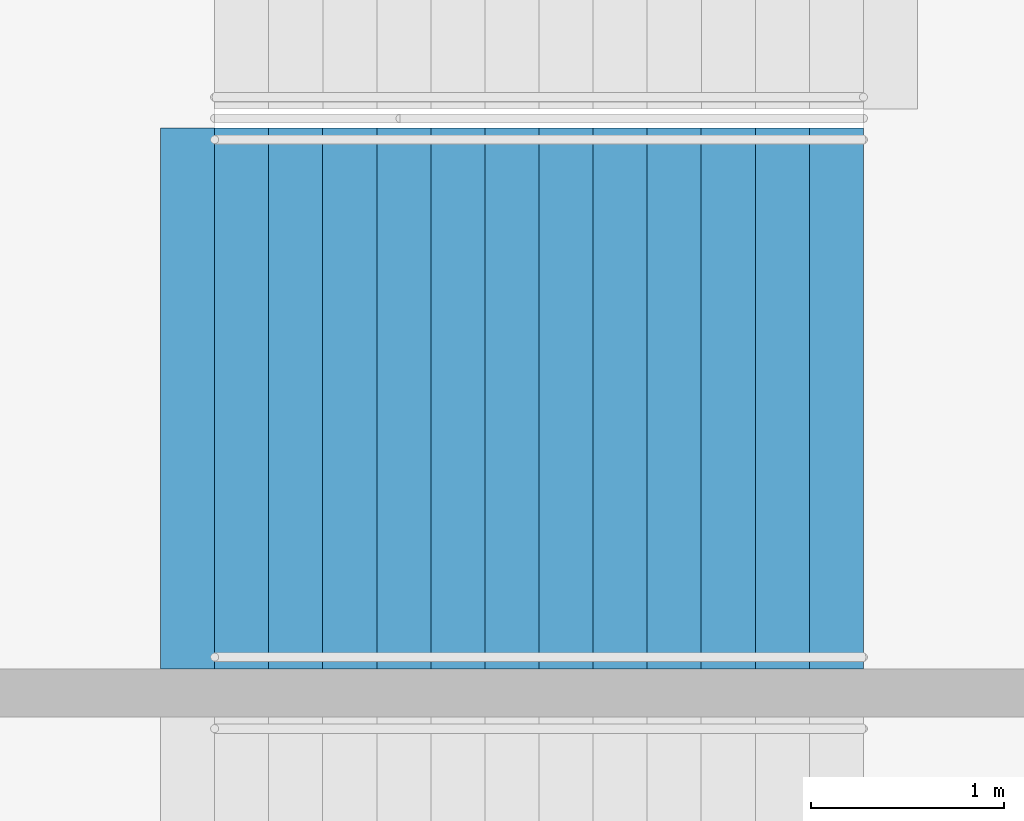
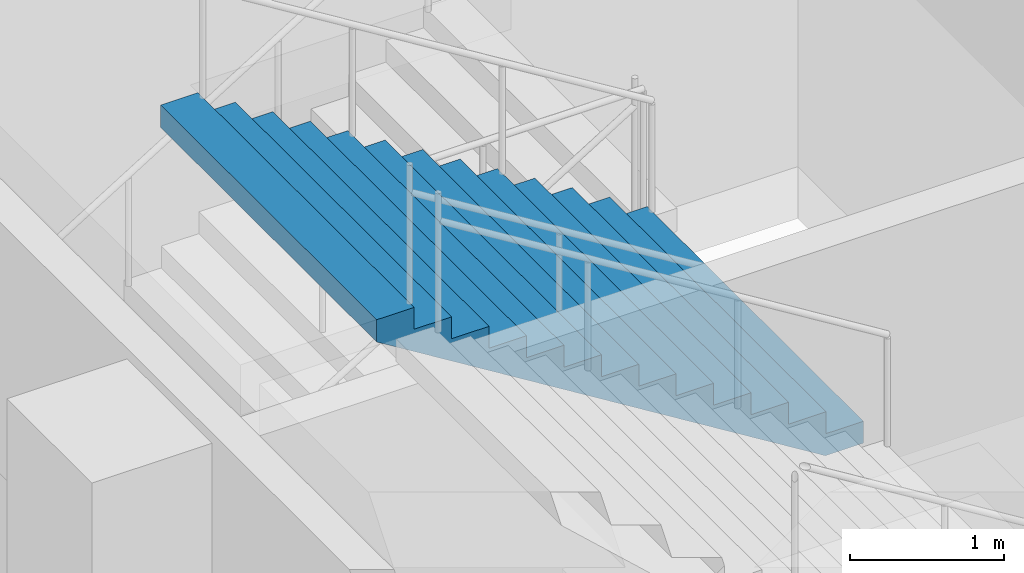
# One storey, part 101 of 175: 1 stair flight, 1 element without a shape of its own.
"""IFC4 building model written with IfcOpenShell, lengths in metres."""

from ifc_helpers import new_model, si_unit, direction, frame, origin, place, context, subcontext, project, spatial, faceted_brep, material, type_object, element, aggregate, save


model = new_model("IFC4")

# Units and contexts
model_context = context("Model", 3, precision=1e-05, world=origin(), true_north=direction((0.0, 1.0)))
body_context = subcontext(model_context, "Body", "Model", "MODEL_VIEW")
ifc_project = project(units=[si_unit("LENGTHUNIT", "METRE"), si_unit("AREAUNIT", "SQUARE_METRE"), si_unit("VOLUMEUNIT", "CUBIC_METRE"), si_unit("PLANEANGLEUNIT", "RADIAN"), si_unit("MASSUNIT", "GRAM", prefix="KILO")], contexts=[model_context])

# Site, building, storey
site_placement = place(None, origin())
site = spatial("IfcSite", under=ifc_project, at=site_placement, CompositionType="ELEMENT")
building_placement = place(site_placement, origin())
building = spatial("IfcBuilding", under=site, at=building_placement, Name="Ogive Plaza Stadium", CompositionType="ELEMENT")
storey_placement = place(building_placement, origin())
storey = spatial("IfcBuildingStorey", under=building, at=storey_placement, Name="L00", CompositionType="ELEMENT", Elevation=0.0)

# Stair, stair flight
ifc_material_1 = material(Name="Concrete C40/50", Category="concrete")
stair_type = type_object("IfcStairType", Name="Exit stair", PredefinedType="STRAIGHT_RUN_STAIR", material=ifc_material_1)
stair_placement = place(storey_placement, origin())
stair = element("IfcStair", 1, at=stair_placement, inside=storey, type_object=stair_type, Name="Exit stair ST06B L00 to L01", PredefinedType="STRAIGHT_RUN_STAIR")
ifc_material_2 = material(Name="Concrete C40/50", Category="concrete")
stair_flight_type = type_object("IfcStairFlightType", Name="Exit stair flight", PredefinedType="STRAIGHT", material=ifc_material_2)
stair_flight_placement = place(storey_placement, frame((79.7099609375, -20.97509765625, 2.25), z_axis=(0.0, 0.0, 1.0), x_axis=(-1.0, 0.0, 0.0)))
stair_flight = element("IfcStairFlight", 2, at=stair_flight_placement, type_object=stair_flight_type, Name="ST06B flight 2", NumberOfRisers=13, NumberOfTreads=12, PredefinedType="STRAIGHT", RiserHeight=0.173076923, TreadLength=0.28, context=body_context, shape_type="Brep", body=[
    faceted_brep([(0.28515625, -1.39990234375, 0.0), (3.639892578125, -1.39990234375, 2.07373046875), (3.639892578125, -1.39990234375, 2.25), (3.360107421875, -1.39990234375, 2.25), (3.360107421875, -1.39990234375, 2.076904296875), (3.080078125, -1.39990234375, 2.076904296875), (3.080078125, -1.39990234375, 1.90380859375), (2.800048828125, -1.39990234375, 1.90380859375), (2.800048828125, -1.39990234375, 1.730712890625), (2.52001953125, -1.39990234375, 1.730712890625), (2.52001953125, -1.39990234375, 1.5576171875), (2.239990234375, -1.39990234375, 1.5576171875), (2.239990234375, -1.39990234375, 1.384521484375), (1.9599609375, -1.39990234375, 1.384521484375), (1.9599609375, -1.39990234375, 1.21142578125), (1.679931640625, -1.39990234375, 1.21142578125), (1.679931640625, -1.39990234375, 1.03857421875), (1.39990234375, -1.39990234375, 1.03857421875), (1.39990234375, -1.39990234375, 0.865478515625), (1.1201171875, -1.39990234375, 0.865478515625), (1.1201171875, -1.39990234375, 0.6923828125), (0.840087890625, -1.39990234375, 0.6923828125), (0.840087890625, -1.39990234375, 0.519287109375), (0.56005859375, -1.39990234375, 0.519287109375), (0.56005859375, -1.39990234375, 0.34619140625), (0.280029296875, -1.39990234375, 0.34619140625), (0.280029296875, -1.39990234375, 0.173095703125), (0.0, -1.39990234375, 0.173095703125), (0.0, -1.39990234375, 0.0), (0.0, 1.39990234375, 0.0), (0.0, 1.39990234375, 0.173095703125), (0.280029296875, 1.39990234375, 0.173095703125), (0.280029296875, 1.39990234375, 0.34619140625), (0.56005859375, 1.39990234375, 0.34619140625), (0.56005859375, 1.39990234375, 0.519287109375), (0.840087890625, 1.39990234375, 0.519287109375), (0.840087890625, 1.39990234375, 0.6923828125), (1.1201171875, 1.39990234375, 0.6923828125), (1.1201171875, 1.39990234375, 0.865478515625), (1.39990234375, 1.39990234375, 0.865478515625), (1.39990234375, 1.39990234375, 1.03857421875), (1.679931640625, 1.39990234375, 1.03857421875), (1.679931640625, 1.39990234375, 1.21142578125), (1.9599609375, 1.39990234375, 1.21142578125), (1.9599609375, 1.39990234375, 1.384521484375), (2.239990234375, 1.39990234375, 1.384521484375), (2.239990234375, 1.39990234375, 1.5576171875), (2.52001953125, 1.39990234375, 1.5576171875), (2.52001953125, 1.39990234375, 1.730712890625), (2.800048828125, 1.39990234375, 1.730712890625), (2.800048828125, 1.39990234375, 1.90380859375), (3.080078125, 1.39990234375, 1.90380859375), (3.080078125, 1.39990234375, 2.076904296875), (3.360107421875, 1.39990234375, 2.076904296875), (3.360107421875, 1.39990234375, 2.25), (3.639892578125, 1.39990234375, 2.25), (3.639892578125, 1.39990234375, 2.07373046875), (0.28515625, 1.39990234375, 0.0), (0.28515625, -1.0888671875, 0.0), (3.639892578125, -1.0888671875, 2.07373046875), (0.28515625, -0.77783203125, 0.0), (3.639892578125, -0.77783203125, 2.07373046875), (0.28515625, -0.466796875, 0.0), (3.639892578125, -0.466796875, 2.07373046875), (0.28515625, -0.155517578125, 0.0), (3.639892578125, -0.155517578125, 2.07373046875), (0.28515625, 0.155517578125, 0.0), (3.639892578125, 0.155517578125, 2.07373046875), (0.28515625, 0.466796875, 0.0), (3.639892578125, 0.466796875, 2.07373046875), (0.28515625, 0.77783203125, 0.0), (3.639892578125, 0.77783203125, 2.07373046875), (0.28515625, 1.0888671875, 0.0), (3.639892578125, 1.0888671875, 2.07373046875), (3.639892578125, -1.0888671875, 2.25), (3.639892578125, -0.77783203125, 2.25), (3.639892578125, -0.466796875, 2.25), (3.639892578125, -0.155517578125, 2.25), (3.639892578125, 0.155517578125, 2.25), (3.639892578125, 0.466796875, 2.25), (3.639892578125, 0.77783203125, 2.25), (3.639892578125, 1.0888671875, 2.25), (3.360107421875, -1.0888671875, 2.25), (3.360107421875, -0.77783203125, 2.25), (3.360107421875, -0.466796875, 2.25), (3.360107421875, -0.155517578125, 2.25), (3.360107421875, 0.155517578125, 2.25), (3.360107421875, 0.466796875, 2.25), (3.360107421875, 0.77783203125, 2.25), (3.360107421875, 1.0888671875, 2.25), (3.360107421875, -1.0888671875, 2.076904296875), (3.360107421875, -0.77783203125, 2.076904296875), (3.360107421875, -0.466796875, 2.076904296875), (3.360107421875, -0.155517578125, 2.076904296875), (3.360107421875, 0.155517578125, 2.076904296875), (3.360107421875, 0.466796875, 2.076904296875), (3.360107421875, 0.77783203125, 2.076904296875), (3.360107421875, 1.0888671875, 2.076904296875), (3.080078125, -1.0888671875, 2.076904296875), (3.080078125, -0.77783203125, 2.076904296875), (3.080078125, -0.466796875, 2.076904296875), (3.080078125, -0.155517578125, 2.076904296875), (3.080078125, 0.155517578125, 2.076904296875), (3.080078125, 0.466796875, 2.076904296875), (3.080078125, 0.77783203125, 2.076904296875), (3.080078125, 1.0888671875, 2.076904296875), (3.080078125, -1.0888671875, 1.90380859375), (3.080078125, -0.77783203125, 1.90380859375), (3.080078125, -0.466796875, 1.90380859375), (3.080078125, -0.155517578125, 1.90380859375), (3.080078125, 0.155517578125, 1.90380859375), (3.080078125, 0.466796875, 1.90380859375), (3.080078125, 0.77783203125, 1.90380859375), (3.080078125, 1.0888671875, 1.90380859375), (2.800048828125, -1.0888671875, 1.90380859375), (2.800048828125, -0.77783203125, 1.90380859375), (2.800048828125, -0.466796875, 1.90380859375), (2.800048828125, -0.155517578125, 1.90380859375), (2.800048828125, 0.155517578125, 1.90380859375), (2.800048828125, 0.466796875, 1.90380859375), (2.800048828125, 0.77783203125, 1.90380859375), (2.800048828125, 1.0888671875, 1.90380859375), (2.800048828125, -1.0888671875, 1.730712890625), (2.800048828125, -0.77783203125, 1.730712890625), (2.800048828125, -0.466796875, 1.730712890625), (2.800048828125, -0.155517578125, 1.730712890625), (2.800048828125, 0.155517578125, 1.730712890625), (2.800048828125, 0.466796875, 1.730712890625), (2.800048828125, 0.77783203125, 1.730712890625), (2.800048828125, 1.0888671875, 1.730712890625), (2.52001953125, -1.0888671875, 1.730712890625), (2.52001953125, -0.77783203125, 1.730712890625), (2.52001953125, -0.466796875, 1.730712890625), (2.52001953125, -0.155517578125, 1.730712890625), (2.52001953125, 0.155517578125, 1.730712890625), (2.52001953125, 0.466796875, 1.730712890625), (2.52001953125, 0.77783203125, 1.730712890625), (2.52001953125, 1.0888671875, 1.730712890625), (2.52001953125, -1.0888671875, 1.5576171875), (2.52001953125, -0.77783203125, 1.5576171875), (2.52001953125, -0.466796875, 1.5576171875), (2.52001953125, -0.155517578125, 1.5576171875), (2.52001953125, 0.155517578125, 1.5576171875), (2.52001953125, 0.466796875, 1.5576171875), (2.52001953125, 0.77783203125, 1.5576171875), (2.52001953125, 1.0888671875, 1.5576171875), (2.239990234375, -1.0888671875, 1.5576171875), (2.239990234375, -0.77783203125, 1.5576171875), (2.239990234375, -0.466796875, 1.5576171875), (2.239990234375, -0.155517578125, 1.5576171875), (2.239990234375, 0.155517578125, 1.5576171875), (2.239990234375, 0.466796875, 1.5576171875), (2.239990234375, 0.77783203125, 1.5576171875), (2.239990234375, 1.0888671875, 1.5576171875), (2.239990234375, -1.0888671875, 1.384521484375), (2.239990234375, -0.77783203125, 1.384521484375), (2.239990234375, -0.466796875, 1.384521484375), (2.239990234375, -0.155517578125, 1.384521484375), (2.239990234375, 0.155517578125, 1.384521484375), (2.239990234375, 0.466796875, 1.384521484375), (2.239990234375, 0.77783203125, 1.384521484375), (2.239990234375, 1.0888671875, 1.384521484375), (1.9599609375, -1.0888671875, 1.384521484375), (1.9599609375, -0.77783203125, 1.384521484375), (1.9599609375, -0.466796875, 1.384521484375), (1.9599609375, -0.155517578125, 1.384521484375), (1.9599609375, 0.155517578125, 1.384521484375), (1.9599609375, 0.466796875, 1.384521484375), (1.9599609375, 0.77783203125, 1.384521484375), (1.9599609375, 1.0888671875, 1.384521484375), (1.9599609375, -1.0888671875, 1.21142578125), (1.9599609375, -0.77783203125, 1.21142578125), (1.9599609375, -0.466796875, 1.21142578125), (1.9599609375, -0.155517578125, 1.21142578125), (1.9599609375, 0.155517578125, 1.21142578125), (1.9599609375, 0.466796875, 1.21142578125), (1.9599609375, 0.77783203125, 1.21142578125), (1.9599609375, 1.0888671875, 1.21142578125), (1.679931640625, -1.0888671875, 1.21142578125), (1.679931640625, -0.77783203125, 1.21142578125), (1.679931640625, -0.466796875, 1.21142578125), (1.679931640625, -0.155517578125, 1.21142578125), (1.679931640625, 0.155517578125, 1.21142578125), (1.679931640625, 0.466796875, 1.21142578125), (1.679931640625, 0.77783203125, 1.21142578125), (1.679931640625, 1.0888671875, 1.21142578125), (1.679931640625, -1.0888671875, 1.03857421875), (1.679931640625, -0.77783203125, 1.03857421875), (1.679931640625, -0.466796875, 1.03857421875), (1.679931640625, -0.155517578125, 1.03857421875), (1.679931640625, 0.155517578125, 1.03857421875), (1.679931640625, 0.466796875, 1.03857421875), (1.679931640625, 0.77783203125, 1.03857421875), (1.679931640625, 1.0888671875, 1.03857421875), (1.39990234375, -1.0888671875, 1.03857421875), (1.39990234375, -0.77783203125, 1.03857421875), (1.39990234375, -0.466796875, 1.03857421875), (1.39990234375, -0.155517578125, 1.03857421875), (1.39990234375, 0.155517578125, 1.03857421875), (1.39990234375, 0.466796875, 1.03857421875), (1.39990234375, 0.77783203125, 1.03857421875), (1.39990234375, 1.0888671875, 1.03857421875), (1.39990234375, -1.0888671875, 0.865478515625), (1.39990234375, -0.77783203125, 0.865478515625), (1.39990234375, -0.466796875, 0.865478515625), (1.39990234375, -0.155517578125, 0.865478515625), (1.39990234375, 0.155517578125, 0.865478515625), (1.39990234375, 0.466796875, 0.865478515625), (1.39990234375, 0.77783203125, 0.865478515625), (1.39990234375, 1.0888671875, 0.865478515625), (1.1201171875, -1.0888671875, 0.865478515625), (1.1201171875, -0.77783203125, 0.865478515625), (1.1201171875, -0.466796875, 0.865478515625), (1.1201171875, -0.155517578125, 0.865478515625), (1.1201171875, 0.155517578125, 0.865478515625), (1.1201171875, 0.466796875, 0.865478515625), (1.1201171875, 0.77783203125, 0.865478515625), (1.1201171875, 1.0888671875, 0.865478515625), (1.1201171875, -1.0888671875, 0.6923828125), (1.1201171875, -0.77783203125, 0.6923828125), (1.1201171875, -0.466796875, 0.6923828125), (1.1201171875, -0.155517578125, 0.6923828125), (1.1201171875, 0.155517578125, 0.6923828125), (1.1201171875, 0.466796875, 0.6923828125), (1.1201171875, 0.77783203125, 0.6923828125), (1.1201171875, 1.0888671875, 0.6923828125), (0.840087890625, -1.0888671875, 0.6923828125), (0.840087890625, -0.77783203125, 0.6923828125), (0.840087890625, -0.466796875, 0.6923828125), (0.840087890625, -0.155517578125, 0.6923828125), (0.840087890625, 0.155517578125, 0.6923828125), (0.840087890625, 0.466796875, 0.6923828125), (0.840087890625, 0.77783203125, 0.6923828125), (0.840087890625, 1.0888671875, 0.6923828125), (0.840087890625, -1.0888671875, 0.519287109375), (0.840087890625, -0.77783203125, 0.519287109375), (0.840087890625, -0.466796875, 0.519287109375), (0.840087890625, -0.155517578125, 0.519287109375), (0.840087890625, 0.155517578125, 0.519287109375), (0.840087890625, 0.466796875, 0.519287109375), (0.840087890625, 0.77783203125, 0.519287109375), (0.840087890625, 1.0888671875, 0.519287109375), (0.56005859375, -1.0888671875, 0.519287109375), (0.56005859375, -0.77783203125, 0.519287109375), (0.56005859375, -0.466796875, 0.519287109375), (0.56005859375, -0.155517578125, 0.519287109375), (0.56005859375, 0.155517578125, 0.519287109375), (0.56005859375, 0.466796875, 0.519287109375), (0.56005859375, 0.77783203125, 0.519287109375), (0.56005859375, 1.0888671875, 0.519287109375), (0.56005859375, -1.0888671875, 0.34619140625), (0.56005859375, -0.77783203125, 0.34619140625), (0.56005859375, -0.466796875, 0.34619140625), (0.56005859375, -0.155517578125, 0.34619140625), (0.56005859375, 0.155517578125, 0.34619140625), (0.56005859375, 0.466796875, 0.34619140625), (0.56005859375, 0.77783203125, 0.34619140625), (0.56005859375, 1.0888671875, 0.34619140625), (0.280029296875, -1.0888671875, 0.34619140625), (0.280029296875, -0.77783203125, 0.34619140625), (0.280029296875, -0.466796875, 0.34619140625), (0.280029296875, -0.155517578125, 0.34619140625), (0.280029296875, 0.155517578125, 0.34619140625), (0.280029296875, 0.466796875, 0.34619140625), (0.280029296875, 0.77783203125, 0.34619140625), (0.280029296875, 1.0888671875, 0.34619140625), (0.280029296875, -1.0888671875, 0.173095703125), (0.280029296875, -0.77783203125, 0.173095703125), (0.280029296875, -0.466796875, 0.173095703125), (0.280029296875, -0.155517578125, 0.173095703125), (0.280029296875, 0.155517578125, 0.173095703125), (0.280029296875, 0.466796875, 0.173095703125), (0.280029296875, 0.77783203125, 0.173095703125), (0.280029296875, 1.0888671875, 0.173095703125), (0.0, -1.0888671875, 0.173095703125), (0.0, -0.77783203125, 0.173095703125), (0.0, -0.466796875, 0.173095703125), (0.0, -0.155517578125, 0.173095703125), (0.0, 0.155517578125, 0.173095703125), (0.0, 0.466796875, 0.173095703125), (0.0, 0.77783203125, 0.173095703125), (0.0, 1.0888671875, 0.173095703125), (0.0, -1.0888671875, 0.0), (0.0, -0.77783203125, 0.0), (0.0, -0.466796875, 0.0), (0.0, -0.155517578125, 0.0), (0.0, 0.155517578125, 0.0), (0.0, 0.466796875, 0.0), (0.0, 0.77783203125, 0.0), (0.0, 1.0888671875, 0.0)], [[[0, 1, 2, 3, 4, 5, 6, 7, 8, 9, 10, 11, 12, 13, 14, 15, 16, 17, 18, 19, 20, 21, 22, 23, 24, 25, 26, 27, 28]], [[29, 30, 31, 32, 33, 34, 35, 36, 37, 38, 39, 40, 41, 42, 43, 44, 45, 46, 47, 48, 49, 50, 51, 52, 53, 54, 55, 56, 57]], [[0, 58, 59, 1]], [[58, 60, 61, 59]], [[60, 62, 63, 61]], [[62, 64, 65, 63]], [[64, 66, 67, 65]], [[66, 68, 69, 67]], [[68, 70, 71, 69]], [[70, 72, 73, 71]], [[72, 57, 56, 73]], [[1, 59, 74, 2]], [[59, 61, 75, 74]], [[61, 63, 76, 75]], [[63, 65, 77, 76]], [[65, 67, 78, 77]], [[67, 69, 79, 78]], [[69, 71, 80, 79]], [[71, 73, 81, 80]], [[73, 56, 55, 81]], [[2, 74, 82, 3]], [[74, 75, 83, 82]], [[75, 76, 84, 83]], [[76, 77, 85, 84]], [[77, 78, 86, 85]], [[78, 79, 87, 86]], [[79, 80, 88, 87]], [[80, 81, 89, 88]], [[81, 55, 54, 89]], [[3, 82, 90, 4]], [[82, 83, 91, 90]], [[83, 84, 92, 91]], [[84, 85, 93, 92]], [[85, 86, 94, 93]], [[86, 87, 95, 94]], [[87, 88, 96, 95]], [[88, 89, 97, 96]], [[89, 54, 53, 97]], [[4, 90, 98, 5]], [[90, 91, 99, 98]], [[91, 92, 100, 99]], [[92, 93, 101, 100]], [[93, 94, 102, 101]], [[94, 95, 103, 102]], [[95, 96, 104, 103]], [[96, 97, 105, 104]], [[97, 53, 52, 105]], [[5, 98, 106, 6]], [[98, 99, 107, 106]], [[99, 100, 108, 107]], [[100, 101, 109, 108]], [[101, 102, 110, 109]], [[102, 103, 111, 110]], [[103, 104, 112, 111]], [[104, 105, 113, 112]], [[105, 52, 51, 113]], [[6, 106, 114, 7]], [[106, 107, 115, 114]], [[107, 108, 116, 115]], [[108, 109, 117, 116]], [[109, 110, 118, 117]], [[110, 111, 119, 118]], [[111, 112, 120, 119]], [[112, 113, 121, 120]], [[113, 51, 50, 121]], [[7, 114, 122, 8]], [[114, 115, 123, 122]], [[115, 116, 124, 123]], [[116, 117, 125, 124]], [[117, 118, 126, 125]], [[118, 119, 127, 126]], [[119, 120, 128, 127]], [[120, 121, 129, 128]], [[121, 50, 49, 129]], [[8, 122, 130, 9]], [[122, 123, 131, 130]], [[123, 124, 132, 131]], [[124, 125, 133, 132]], [[125, 126, 134, 133]], [[126, 127, 135, 134]], [[127, 128, 136, 135]], [[128, 129, 137, 136]], [[129, 49, 48, 137]], [[9, 130, 138, 10]], [[130, 131, 139, 138]], [[131, 132, 140, 139]], [[132, 133, 141, 140]], [[133, 134, 142, 141]], [[134, 135, 143, 142]], [[135, 136, 144, 143]], [[136, 137, 145, 144]], [[137, 48, 47, 145]], [[10, 138, 146, 11]], [[138, 139, 147, 146]], [[139, 140, 148, 147]], [[140, 141, 149, 148]], [[141, 142, 150, 149]], [[142, 143, 151, 150]], [[143, 144, 152, 151]], [[144, 145, 153, 152]], [[145, 47, 46, 153]], [[11, 146, 154, 12]], [[146, 147, 155, 154]], [[147, 148, 156, 155]], [[148, 149, 157, 156]], [[149, 150, 158, 157]], [[150, 151, 159, 158]], [[151, 152, 160, 159]], [[152, 153, 161, 160]], [[153, 46, 45, 161]], [[12, 154, 162, 13]], [[154, 155, 163, 162]], [[155, 156, 164, 163]], [[156, 157, 165, 164]], [[157, 158, 166, 165]], [[158, 159, 167, 166]], [[159, 160, 168, 167]], [[160, 161, 169, 168]], [[161, 45, 44, 169]], [[13, 162, 170, 14]], [[162, 163, 171, 170]], [[163, 164, 172, 171]], [[164, 165, 173, 172]], [[165, 166, 174, 173]], [[166, 167, 175, 174]], [[167, 168, 176, 175]], [[168, 169, 177, 176]], [[169, 44, 43, 177]], [[14, 170, 178, 15]], [[170, 171, 179, 178]], [[171, 172, 180, 179]], [[172, 173, 181, 180]], [[173, 174, 182, 181]], [[174, 175, 183, 182]], [[175, 176, 184, 183]], [[176, 177, 185, 184]], [[177, 43, 42, 185]], [[15, 178, 186, 16]], [[178, 179, 187, 186]], [[179, 180, 188, 187]], [[180, 181, 189, 188]], [[181, 182, 190, 189]], [[182, 183, 191, 190]], [[183, 184, 192, 191]], [[184, 185, 193, 192]], [[185, 42, 41, 193]], [[16, 186, 194, 17]], [[186, 187, 195, 194]], [[187, 188, 196, 195]], [[188, 189, 197, 196]], [[189, 190, 198, 197]], [[190, 191, 199, 198]], [[191, 192, 200, 199]], [[192, 193, 201, 200]], [[193, 41, 40, 201]], [[17, 194, 202, 18]], [[194, 195, 203, 202]], [[195, 196, 204, 203]], [[196, 197, 205, 204]], [[197, 198, 206, 205]], [[198, 199, 207, 206]], [[199, 200, 208, 207]], [[200, 201, 209, 208]], [[201, 40, 39, 209]], [[18, 202, 210, 19]], [[202, 203, 211, 210]], [[203, 204, 212, 211]], [[204, 205, 213, 212]], [[205, 206, 214, 213]], [[206, 207, 215, 214]], [[207, 208, 216, 215]], [[208, 209, 217, 216]], [[209, 39, 38, 217]], [[19, 210, 218, 20]], [[210, 211, 219, 218]], [[211, 212, 220, 219]], [[212, 213, 221, 220]], [[213, 214, 222, 221]], [[214, 215, 223, 222]], [[215, 216, 224, 223]], [[216, 217, 225, 224]], [[217, 38, 37, 225]], [[20, 218, 226, 21]], [[218, 219, 227, 226]], [[219, 220, 228, 227]], [[220, 221, 229, 228]], [[221, 222, 230, 229]], [[222, 223, 231, 230]], [[223, 224, 232, 231]], [[224, 225, 233, 232]], [[225, 37, 36, 233]], [[21, 226, 234, 22]], [[226, 227, 235, 234]], [[227, 228, 236, 235]], [[228, 229, 237, 236]], [[229, 230, 238, 237]], [[230, 231, 239, 238]], [[231, 232, 240, 239]], [[232, 233, 241, 240]], [[233, 36, 35, 241]], [[22, 234, 242, 23]], [[234, 235, 243, 242]], [[235, 236, 244, 243]], [[236, 237, 245, 244]], [[237, 238, 246, 245]], [[238, 239, 247, 246]], [[239, 240, 248, 247]], [[240, 241, 249, 248]], [[241, 35, 34, 249]], [[23, 242, 250, 24]], [[242, 243, 251, 250]], [[243, 244, 252, 251]], [[244, 245, 253, 252]], [[245, 246, 254, 253]], [[246, 247, 255, 254]], [[247, 248, 256, 255]], [[248, 249, 257, 256]], [[249, 34, 33, 257]], [[24, 250, 258, 25]], [[250, 251, 259, 258]], [[251, 252, 260, 259]], [[252, 253, 261, 260]], [[253, 254, 262, 261]], [[254, 255, 263, 262]], [[255, 256, 264, 263]], [[256, 257, 265, 264]], [[257, 33, 32, 265]], [[25, 258, 266, 26]], [[258, 259, 267, 266]], [[259, 260, 268, 267]], [[260, 261, 269, 268]], [[261, 262, 270, 269]], [[262, 263, 271, 270]], [[263, 264, 272, 271]], [[264, 265, 273, 272]], [[265, 32, 31, 273]], [[26, 266, 274, 27]], [[266, 267, 275, 274]], [[267, 268, 276, 275]], [[268, 269, 277, 276]], [[269, 270, 278, 277]], [[270, 271, 279, 278]], [[271, 272, 280, 279]], [[272, 273, 281, 280]], [[273, 31, 30, 281]], [[27, 274, 282, 28]], [[274, 275, 283, 282]], [[275, 276, 284, 283]], [[276, 277, 285, 284]], [[277, 278, 286, 285]], [[278, 279, 287, 286]], [[279, 280, 288, 287]], [[280, 281, 289, 288]], [[281, 30, 29, 289]], [[28, 282, 58, 0]], [[282, 283, 60, 58]], [[283, 284, 62, 60]], [[284, 285, 64, 62]], [[285, 286, 66, 64]], [[286, 287, 68, 66]], [[287, 288, 70, 68]], [[288, 289, 72, 70]], [[289, 29, 57, 72]]]),
])
aggregate(stair, [stair_flight])

save(model, "model.ifc")
